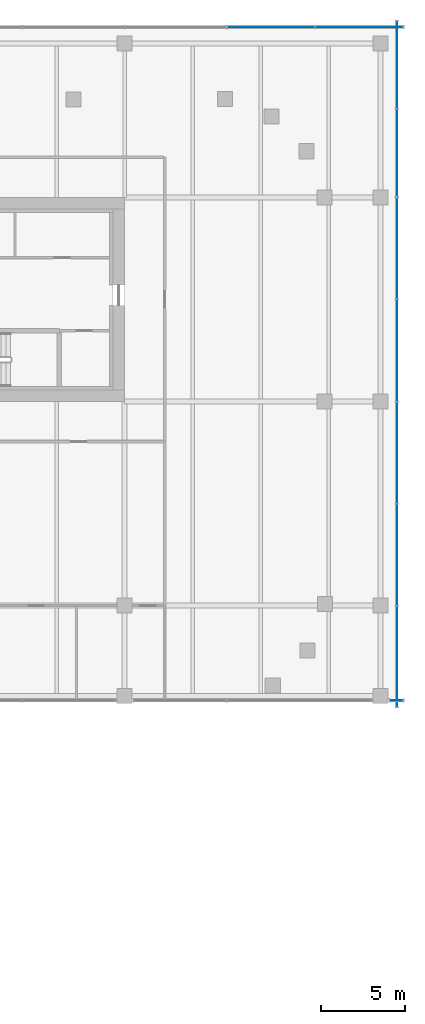
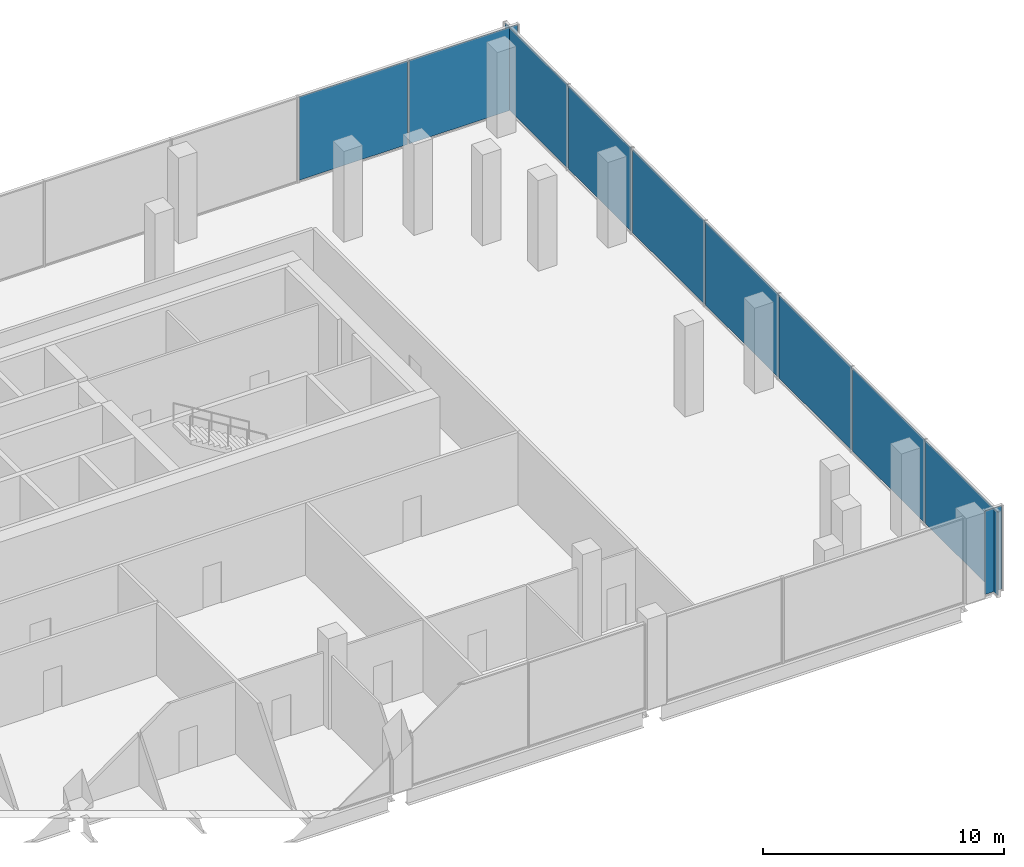
# One storey, part 20 of 33: 10 plates, 4 elements without a shape of their own.
"""IFC4 building model written with IfcOpenShell, lengths in metres."""

import ifcopenshell
import ifcopenshell.guid

model = None  # the IFC model being written
_history = None  # IfcOwnerHistory: only IFC2X3 demands one
_inside = {}  # id of a spatial element -> (the spatial element, [elements in it])
_under = {}  # id of a project, library or spatial element -> (it, [spatial elements below it])
_declared = {}  # id of a project -> (the project, [libraries it declares])
_typed = {}  # id of a type object -> (the type object, [elements of that type])
_made_of = {}  # id of a material, layer set ... -> (it, [elements and type objects made of it])


def new_model(schema):
    """Start an empty IFC model of exactly this schema.

    Asked for "IFC4X3", IfcOpenShell would pick the latest addendum, in which some entities
    have other attributes; the version numbers below select the first issue.
    IFC2X3 requires an IfcOwnerHistory on every rooted entity: one is made here for all.
    """
    global model, _history
    if schema == "IFC4X3":
        model = ifcopenshell.file(schema_version=(4, 3, 0, 0))
    else:
        model = ifcopenshell.file(schema=schema)
    _inside.clear()
    _under.clear()
    _declared.clear()
    _typed.clear()
    _made_of.clear()
    _history = None
    if model.schema == "IFC2X3":
        org = make("IfcOrganization", Name="unknown")
        user = make(
            "IfcPersonAndOrganization",
            ThePerson=make("IfcPerson", FamilyName="unknown"),
            TheOrganization=org,
        )
        app = make(
            "IfcApplication",
            ApplicationDeveloper=org,
            Version="unknown",
            ApplicationFullName="unknown",
            ApplicationIdentifier="unknown",
        )
        _history = make(
            "IfcOwnerHistory",
            OwningUser=user,
            OwningApplication=app,
            ChangeAction="ADDED",
            CreationDate=0,
        )
    return model


def make(cls, **values):
    """One entity of the class cls with the attributes given. An attribute that is None is left unset."""
    return model.create_entity(
        cls, **{name: value for name, value in values.items() if value is not None}
    )


def rooted(cls, **values):
    """An entity with a GlobalId (a new one), such as an element, a storey or a relation."""
    return make(cls, GlobalId=ifcopenshell.guid.new(), OwnerHistory=_history, **values)


def si_unit(unit_type, name, prefix=None):
    """IfcSIUnit, for example si_unit("LENGTHUNIT", "METRE", prefix="MILLI")."""
    return make("IfcSIUnit", UnitType=unit_type, Prefix=prefix, Name=name)


def assignment(units):
    """IfcUnitAssignment: the units of a project."""
    return None if units is None else make("IfcUnitAssignment", Units=units)


def point(xyz):
    """IfcCartesianPoint."""
    return None if xyz is None else make("IfcCartesianPoint", Coordinates=xyz)


def direction(xyz):
    """IfcDirection."""
    return None if xyz is None else make("IfcDirection", DirectionRatios=xyz)


def frame(location, z_axis=None, x_axis=None):
    """IfcAxis2Placement3D, a coordinate frame: its origin and axes. An axis left out is left unset."""
    return make(
        "IfcAxis2Placement3D",
        Location=point(location),
        Axis=direction(z_axis),
        RefDirection=direction(x_axis),
    )


def frame_2d(location, x_axis=None):
    """IfcAxis2Placement2D, a coordinate frame in the plane: its origin and x axis."""
    return make(
        "IfcAxis2Placement2D", Location=point(location), RefDirection=direction(x_axis)
    )


def origin():
    """The frame at (0, 0, 0) with its axes left unset."""
    return frame((0.0, 0.0, 0.0))


def origin_2d():
    """The frame at (0, 0) in the plane with its x axis left unset."""
    return frame_2d((0.0, 0.0))


def place(relative_to, where):
    """IfcLocalPlacement: puts the frame where relative to a parent placement (None: the world)."""
    return make(
        "IfcLocalPlacement", PlacementRelTo=relative_to, RelativePlacement=where
    )


def context(
    kind, dimensions, precision=None, world=None, true_north=None, identifier=None
):
    """IfcGeometricRepresentationContext, for example the 3D "Model" context."""
    return make(
        "IfcGeometricRepresentationContext",
        ContextIdentifier=identifier,
        ContextType=kind,
        CoordinateSpaceDimension=dimensions,
        Precision=precision,
        WorldCoordinateSystem=world,
        TrueNorth=true_north,
    )


def subcontext(parent, identifier, kind, view, scale=None):
    """IfcGeometricRepresentationSubContext, for example "Body" below "Model"."""
    return make(
        "IfcGeometricRepresentationSubContext",
        ContextIdentifier=identifier,
        ContextType=kind,
        ParentContext=parent,
        TargetScale=scale,
        TargetView=view,
    )


def project(units=None, contexts=None):
    """IfcProject with its units and contexts."""
    return rooted(
        "IfcProject",
        Name="project",
        RepresentationContexts=contexts,
        UnitsInContext=assignment(units),
    )


def spatial(cls, under=None, at=None, **own):
    """A site, building, storey or space (cls), placed at a placement, below another one or the project."""
    s = rooted(cls, ObjectPlacement=at, **own)
    if under is not None:
        _under.setdefault(under.id(), (under, []))[1].append(s)
    return s


def profile(cls, at=None, kind="AREA", **sizes):
    """A parametric profile (cls). Its sizes go by their IFC names, for example OverallWidth=200.0."""
    return make(cls, ProfileType=kind, Position=at, **sizes)


def rectangle(**sizes):
    """IfcRectangleProfileDef."""
    return profile("IfcRectangleProfileDef", **sizes)


def extrude(swept, where, along, depth):
    """IfcExtrudedAreaSolid: the profile swept, set in the frame where, extruded along a direction by depth."""
    return make(
        "IfcExtrudedAreaSolid",
        SweptArea=swept,
        Position=where,
        ExtrudedDirection=direction(along),
        Depth=depth,
    )


def shape(context_of_items, identifier, shape_type, items):
    """IfcShapeRepresentation: the items that make up one representation, for example the "Body"."""
    return make(
        "IfcShapeRepresentation",
        ContextOfItems=context_of_items,
        RepresentationIdentifier=identifier,
        RepresentationType=shape_type,
        Items=items,
    )


def material(Name=None, Category=None):
    """IfcMaterial."""
    return make("IfcMaterial", Name=Name, Category=Category)


def layer(
    of_material, thickness, ventilated=None, Name=None, Category=None, Priority=None
):
    """IfcMaterialLayer: one layer of a wall or slab, of a material (None: an air gap)."""
    return make(
        "IfcMaterialLayer",
        Material=of_material,
        LayerThickness=thickness,
        IsVentilated=ventilated,
        Name=Name,
        Category=Category,
        Priority=Priority,
    )


def layer_set(layers, Name=None):
    """IfcMaterialLayerSet."""
    return make("IfcMaterialLayerSet", MaterialLayers=layers, LayerSetName=Name)


def made_of(thing, what):
    """Note that an element or type object is made of a material, layer set ...; save() writes the relation."""
    if what is not None:
        _made_of.setdefault(what.id(), (what, []))[1].append(thing)
    return thing


def type_object(cls, material=None, **own):
    """A type object (cls), such as IfcWallType, which elements share."""
    return made_of(rooted(cls, **own), material)


def element(
    cls,
    number,
    at=None,
    inside=None,
    cuts=None,
    type_object=None,
    material=None,
    context=None,
    identifier="Body",
    shape_type=None,
    held_by="IfcProductDefinitionShape",
    body=None,
    shapes=None,
    **own,
):
    """One element of the class cls, such as IfcWall. Its Tag is "e" and its number.

    at: its placement. inside: the storey or other place that contains it. cuts: it is an
    opening in that element (IfcRelVoidsElement). A single representation is given by context,
    identifier, shape_type and body (its items); several are given by shapes. held_by: the class
    of the entity that holds the representations. save() writes the other relations.
    """
    e = rooted(cls, Tag="e%d" % number, ObjectPlacement=at, **own)
    if body is not None:
        shapes = [shape(context, identifier, shape_type, body)]
    if shapes is not None:
        e.Representation = make(held_by, Representations=shapes)
    if inside is not None:
        _inside.setdefault(inside.id(), (inside, []))[1].append(e)
    if cuts is not None:
        rooted(
            "IfcRelVoidsElement", RelatingBuildingElement=cuts, RelatedOpeningElement=e
        )
    if type_object is not None:
        _typed.setdefault(type_object.id(), (type_object, []))[1].append(e)
    return made_of(e, material)


def aggregate(whole, parts):
    """IfcRelAggregates: a whole, such as a stair, and the parts it consists of."""
    return rooted("IfcRelAggregates", RelatingObject=whole, RelatedObjects=parts)


def save(model, path):
    """Write the relations noted so far, then the file.

    IfcRelAggregates (storeys below a building ...), IfcRelContainedInSpatialStructure (elements
    in a storey), IfcRelDefinesByType, IfcRelAssociatesMaterial and IfcRelDeclares: one each for
    every whole, place, type object, material and project.
    """
    for whole, parts in _under.values():
        aggregate(whole, parts)
    for where, things in _inside.values():
        rooted(
            "IfcRelContainedInSpatialStructure",
            RelatedElements=things,
            RelatingStructure=where,
        )
    for kind, things in _typed.values():
        rooted("IfcRelDefinesByType", RelatedObjects=things, RelatingType=kind)
    for what, things in _made_of.values():
        rooted("IfcRelAssociatesMaterial", RelatedObjects=things, RelatingMaterial=what)
    for by, libraries in _declared.values():
        rooted("IfcRelDeclares", RelatingContext=by, RelatedDefinitions=libraries)
    model.write(path)


model = new_model("IFC4")

# Units and contexts
model_context = context("Model", 3, precision=1e-05, world=origin(), true_north=direction((0.0, 1.0)))
body_context = subcontext(model_context, "Body", "Model", "MODEL_VIEW")
ifc_project = project(units=[si_unit("LENGTHUNIT", "METRE"), si_unit("AREAUNIT", "SQUARE_METRE"), si_unit("VOLUMEUNIT", "CUBIC_METRE"), si_unit("PLANEANGLEUNIT", "RADIAN"), si_unit("MASSUNIT", "GRAM", prefix="KILO")], contexts=[model_context])

# Site, building, storey
site_placement = place(None, origin())
site = spatial("IfcSite", under=ifc_project, at=site_placement, CompositionType="ELEMENT")
building_placement = place(site_placement, origin())
building = spatial("IfcBuilding", under=site, at=building_placement, Name="Tessera Gate Towers", CompositionType="ELEMENT")
storey_placement = place(building_placement, frame((0.0, 0.0, 12.0)))
storey = spatial("IfcBuildingStorey", under=building, at=storey_placement, Name="L02", CompositionType="ELEMENT", Elevation=12.0)

# Curtain wall, plate
ifc_material_1 = material(Name="Aluminium frame", Category="aluminium")
curtain_wall_type = type_object("IfcCurtainWallType", Name="CW-S1 podium storefront", PredefinedType="NOTDEFINED", material=ifc_material_1)
curtain_wall_1_placement = place(storey_placement, origin())
curtain_wall_1 = element("IfcCurtainWall", 1, at=curtain_wall_1_placement, inside=storey, type_object=curtain_wall_type, Name="Curtain wall podium storefront 0174", PredefinedType="NOTDEFINED")
ifc_material_2 = material(Name="Low-e laminated glass", Category="glass")
ifc_layer = layer(ifc_material_2, 0.028076171875)
ifc_layer_set = layer_set([ifc_layer], Name="PN-S1 glass panel 28")
plate_type = type_object("IfcPlateType", Name="PN-S1 glass panel 28", PredefinedType="CURTAIN_PANEL", material=ifc_layer_set)
plate_1_placement = place(storey_placement, frame((138.239990234375, 18.72509765625, 0.06005859375), z_axis=(0.0, 0.0, 1.0), x_axis=(1.0, 0.0, 0.0)))
plate_1 = element("IfcPlate", 2, at=plate_1_placement, type_object=plate_type, Name="PD-CW1-0174 panel 1.1", PredefinedType="CURTAIN_PANEL", context=body_context, shape_type="SweptSolid", body=[
    extrude(rectangle(XDim=0.800048828125, YDim=0.028076171875, at=origin_2d()), origin(), (0.0, 0.0, 1.0), 4.22998046875),
])
aggregate(curtain_wall_1, [plate_1])

# Curtain wall, plates
curtain_wall_2_placement = place(storey_placement, origin())
curtain_wall_2 = element("IfcCurtainWall", 3, at=curtain_wall_2_placement, inside=storey, type_object=curtain_wall_type, Name="Curtain wall podium storefront 0180", PredefinedType="NOTDEFINED")
plate_2_placement = place(storey_placement, frame((138.27490234375, 21.364990234375, 0.06005859375), z_axis=(0.0, 0.0, 1.0), x_axis=(0.0, 1.0, 0.0)))
plate_2 = element("IfcPlate", 4, at=plate_2_placement, type_object=plate_type, Name="PD-CW1-0180 panel 1.1", PredefinedType="CURTAIN_PANEL", context=body_context, shape_type="SweptSolid", body=[
    extrude(rectangle(XDim=6.010009765625, YDim=0.028076171875, at=origin_2d()), origin(), (0.0, 0.0, 1.0), 4.22998046875),
])
plate_3_placement = place(storey_placement, frame((138.27490234375, 27.449951171875, 0.06005859375), z_axis=(0.0, 0.0, 1.0), x_axis=(0.0, 1.0, 0.0)))
plate_3 = element("IfcPlate", 5, at=plate_3_placement, type_object=plate_type, Name="PD-CW1-0180 panel 2.1", PredefinedType="CURTAIN_PANEL", context=body_context, shape_type="SweptSolid", body=[
    extrude(rectangle(XDim=6.0400390625, YDim=0.028076171875, at=origin_2d()), origin(), (0.0, 0.0, 1.0), 4.22998046875),
])
plate_4_placement = place(storey_placement, frame((138.27490234375, 33.550048828125, 0.06005859375), z_axis=(0.0, 0.0, 1.0), x_axis=(0.0, 1.0, 0.0)))
plate_4 = element("IfcPlate", 6, at=plate_4_placement, type_object=plate_type, Name="PD-CW1-0180 panel 3.1", PredefinedType="CURTAIN_PANEL", context=body_context, shape_type="SweptSolid", body=[
    extrude(rectangle(XDim=6.0400390625, YDim=0.028076171875, at=origin_2d()), origin(), (0.0, 0.0, 1.0), 4.22998046875),
])
plate_5_placement = place(storey_placement, frame((138.27490234375, 39.64990234375, 0.06005859375), z_axis=(0.0, 0.0, 1.0), x_axis=(0.0, 1.0, 0.0)))
plate_5 = element("IfcPlate", 7, at=plate_5_placement, type_object=plate_type, Name="PD-CW1-0180 panel 4.1", PredefinedType="CURTAIN_PANEL", context=body_context, shape_type="SweptSolid", body=[
    extrude(rectangle(XDim=6.0400390625, YDim=0.028076171875, at=origin_2d()), origin(), (0.0, 0.0, 1.0), 4.22998046875),
])
plate_6_placement = place(storey_placement, frame((138.27490234375, 45.735107421875, 0.06005859375), z_axis=(0.0, 0.0, 1.0), x_axis=(0.0, 1.0, 0.0)))
plate_6 = element("IfcPlate", 8, at=plate_6_placement, type_object=plate_type, Name="PD-CW1-0180 panel 5.1", PredefinedType="CURTAIN_PANEL", context=body_context, shape_type="SweptSolid", body=[
    extrude(rectangle(XDim=6.010009765625, YDim=0.028076171875, at=origin_2d()), origin(), (0.0, 0.0, 1.0), 4.22998046875),
])
aggregate(curtain_wall_2, [plate_2, plate_3, plate_4, plate_5, plate_6])

curtain_wall_3_placement = place(storey_placement, origin())
curtain_wall_3 = element("IfcCurtainWall", 9, at=curtain_wall_3_placement, inside=storey, type_object=curtain_wall_type, Name="Curtain wall podium storefront 0183", PredefinedType="NOTDEFINED")
plate_7_placement = place(storey_placement, frame((138.27490234375, 51.465087890625, 0.06005859375), z_axis=(0.0, 0.0, 1.0), x_axis=(0.0, 1.0, 0.0)))
plate_7 = element("IfcPlate", 10, at=plate_7_placement, type_object=plate_type, Name="PD-CW1-0183 panel 1.1", PredefinedType="CURTAIN_PANEL", context=body_context, shape_type="SweptSolid", body=[
    extrude(rectangle(XDim=5.2099609375, YDim=0.028076171875, at=origin_2d()), origin(), (0.0, 0.0, 1.0), 4.22998046875),
])
plate_8_placement = place(storey_placement, frame((138.27490234375, 56.735107421875, 0.06005859375), z_axis=(0.0, 0.0, 1.0), x_axis=(0.0, 1.0, 0.0)))
plate_8 = element("IfcPlate", 11, at=plate_8_placement, type_object=plate_type, Name="PD-CW1-0183 panel 2.1", PredefinedType="CURTAIN_PANEL", context=body_context, shape_type="SweptSolid", body=[
    extrude(rectangle(XDim=5.2099609375, YDim=0.028076171875, at=origin_2d()), origin(), (0.0, 0.0, 1.0), 4.22998046875),
])
aggregate(curtain_wall_3, [plate_7, plate_8])

curtain_wall_4_placement = place(storey_placement, origin())
curtain_wall_4 = element("IfcCurtainWall", 12, at=curtain_wall_4_placement, inside=storey, type_object=curtain_wall_type, Name="Curtain wall podium storefront 0186", PredefinedType="NOTDEFINED")
plate_9_placement = place(storey_placement, frame((136.034912109375, 58.97509765625, 0.06005859375), z_axis=(0.0, 0.0, 1.0), x_axis=(-1.0, 0.0, 0.0)))
plate_9 = element("IfcPlate", 13, at=plate_9_placement, type_object=plate_type, Name="PD-CW1-0186 panel 1.1", PredefinedType="CURTAIN_PANEL", context=body_context, shape_type="SweptSolid", body=[
    extrude(rectangle(XDim=5.2099609375, YDim=0.028076171875, at=origin_2d()), origin(), (0.0, 0.0, 1.0), 4.22998046875),
])
plate_10_placement = place(storey_placement, frame((130.764892578125, 58.97509765625, 0.06005859375), z_axis=(0.0, 0.0, 1.0), x_axis=(-1.0, 0.0, 0.0)))
plate_10 = element("IfcPlate", 14, at=plate_10_placement, type_object=plate_type, Name="PD-CW1-0186 panel 2.1", PredefinedType="CURTAIN_PANEL", context=body_context, shape_type="SweptSolid", body=[
    extrude(rectangle(XDim=5.2099609375, YDim=0.028076171875, at=origin_2d()), origin(), (0.0, 0.0, 1.0), 4.22998046875),
])
aggregate(curtain_wall_4, [plate_9, plate_10])

save(model, "model.ifc")
